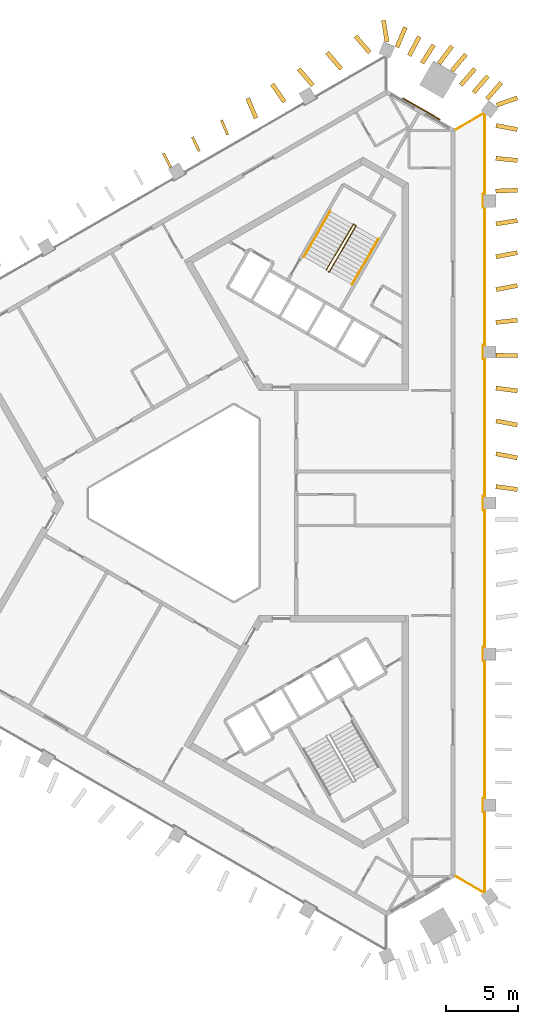
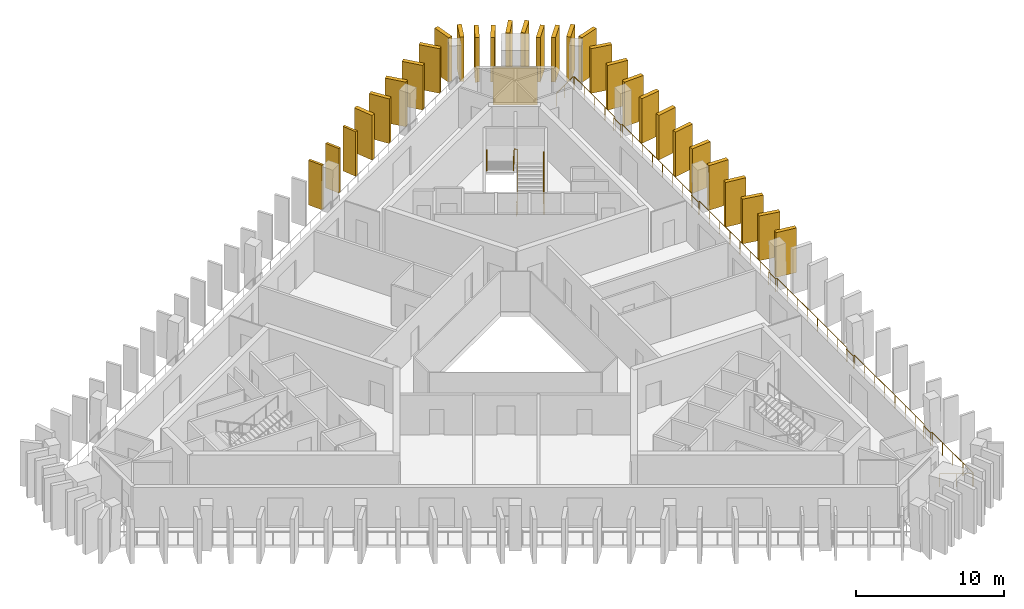
# One storey, part 9 of 9: 30 shading devices, 4 railings, 1 covering.
"""IFC4 building model written with IfcOpenShell, lengths in metres."""

from ifc_helpers import new_model, si_unit, direction, frame, frame_2d, origin, origin_2d, place, context, subcontext, project, spatial, rectangle, circle, extrude, material, layer, layer_set, type_object, element, save


model = new_model("IFC4")

# Units and contexts
model_context = context("Model", 3, precision=1e-05, world=origin(), true_north=direction((0.0, 1.0)))
body_context = subcontext(model_context, "Body", "Model", "MODEL_VIEW")
ifc_project = project(units=[si_unit("LENGTHUNIT", "METRE"), si_unit("AREAUNIT", "SQUARE_METRE"), si_unit("VOLUMEUNIT", "CUBIC_METRE"), si_unit("PLANEANGLEUNIT", "RADIAN"), si_unit("MASSUNIT", "GRAM", prefix="KILO")], contexts=[model_context])

# Site, building, storey
site_placement = place(None, origin())
site = spatial("IfcSite", under=ifc_project, at=site_placement, CompositionType="ELEMENT")
building_placement = place(site_placement, origin())
building = spatial("IfcBuilding", under=site, at=building_placement, Name="Jabali Bay Hotel Tower and Convention Centre", CompositionType="ELEMENT")
storey_placement = place(building_placement, frame((0.0, 0.0, 205.800048828125)))
storey = spatial("IfcBuildingStorey", under=building, at=storey_placement, Name="L50", CompositionType="ELEMENT", Elevation=205.800048828125)

# Railing
ifc_material_1 = material(Name="Glass", Category="glass")
railing_type_1 = type_object("IfcRailingType", Name="Loggia glass guard 1100", PredefinedType="BALUSTRADE", material=ifc_material_1)
railing_1_placement = place(storey_placement, frame((93.15087890625, 105.868408203125, 0.0)))
element("IfcRailing", 1, at=railing_1_placement, inside=storey, type_object=railing_type_1, Name="Loggia glass guard L50", PredefinedType="BALUSTRADE", context=body_context, shape_type="SweptSolid", body=[
    extrude(circle(Radius=0.02490234375, at=origin_2d()), frame((0.0, 0.0, 1.0751953125), z_axis=(0.866055336752, 0.499948150995, 0.0), x_axis=(-0.495671025257, 0.858646113288, 0.13052619222)), (0.0, 0.0, 1.0), 2.247314453125),
    extrude(circle(Radius=0.02490234375, at=origin_2d()), frame((1.9462890625, 1.12353515625, 1.0751953125), z_axis=(0.8, -0.6, 0.0), x_axis=(0.594866916824, 0.793155889099, 0.13052619222)), (0.0, 0.0, 1.0), 0.067138671875),
    extrude(circle(Radius=0.02490234375, at=origin_2d()), frame((2.0, 1.083251953125, 1.0751953125), z_axis=(0.0, -1.0, 0.0), x_axis=(0.991444861374, 0.0, 0.13052619222)), (0.0, 0.0, 1.0), 5.546142578125),
    extrude(circle(Radius=0.02490234375, at=origin_2d()), frame((2.0, -4.462890625, 1.0751953125), z_axis=(-1.0, 0.0, 0.0), x_axis=(0.0, -0.991444861374, 0.13052619222)), (0.0, 0.0, 1.0), 0.125),
    extrude(circle(Radius=0.02490234375, at=origin_2d()), frame((1.875, -4.462890625, 1.0751953125), z_axis=(0.0, -1.0, 0.0), x_axis=(0.991444861374, 0.0, 0.13052619222)), (0.0, 0.0, 1.0), 0.9501953125),
    extrude(circle(Radius=0.02490234375, at=origin_2d()), frame((1.875, -5.4130859375, 1.0751953125), z_axis=(1.0, 0.0, 0.0), x_axis=(0.0, 0.991444861374, 0.13052619222)), (0.0, 0.0, 1.0), 0.125),
    extrude(circle(Radius=0.02490234375, at=origin_2d()), frame((2.0, -5.4130859375, 1.0751953125), z_axis=(0.0, -1.0, 0.0), x_axis=(0.991444861374, 0.0, 0.13052619222)), (0.0, 0.0, 1.0), 9.51513671875),
    extrude(circle(Radius=0.02490234375, at=origin_2d()), frame((2.0, -14.92822265625, 1.0751953125), z_axis=(-1.0, 0.0, 0.0), x_axis=(0.0, -0.991444861374, 0.13052619222)), (0.0, 0.0, 1.0), 0.125),
    extrude(circle(Radius=0.02490234375, at=origin_2d()), frame((1.875, -14.92822265625, 1.0751953125), z_axis=(0.0, -1.0, 0.0), x_axis=(0.991444861374, 0.0, 0.13052619222)), (0.0, 0.0, 1.0), 0.949951171875),
    extrude(circle(Radius=0.02490234375, at=origin_2d()), frame((1.875, -15.878173828125, 1.0751953125), z_axis=(1.0, 0.0, 0.0), x_axis=(0.0, 0.991444861374, 0.13052619222)), (0.0, 0.0, 1.0), 0.125),
    extrude(circle(Radius=0.02490234375, at=origin_2d()), frame((2.0, -15.878173828125, 1.0751953125), z_axis=(0.0, -1.0, 0.0), x_axis=(0.991444861374, 0.0, 0.13052619222)), (0.0, 0.0, 1.0), 9.51513671875),
    extrude(circle(Radius=0.02490234375, at=origin_2d()), frame((2.0, -25.393310546875, 1.0751953125), z_axis=(-1.0, 0.0, 0.0), x_axis=(0.0, -0.991444861374, 0.13052619222)), (0.0, 0.0, 1.0), 0.125),
    extrude(circle(Radius=0.02490234375, at=origin_2d()), frame((1.875, -25.393310546875, 1.0751953125), z_axis=(0.0, -1.0, 0.0), x_axis=(0.991444861374, 0.0, 0.13052619222)), (0.0, 0.0, 1.0), 0.9501953125),
    extrude(circle(Radius=0.02490234375, at=origin_2d()), frame((1.875, -26.343505859375, 1.0751953125), z_axis=(1.0, 0.0, 0.0), x_axis=(0.0, 0.991444861374, 0.13052619222)), (0.0, 0.0, 1.0), 0.125),
    extrude(circle(Radius=0.02490234375, at=origin_2d()), frame((2.0, -26.343505859375, 1.0751953125), z_axis=(0.0, -1.0, 0.0), x_axis=(0.991444861374, 0.0, 0.13052619222)), (0.0, 0.0, 1.0), 9.51513671875),
    extrude(circle(Radius=0.02490234375, at=origin_2d()), frame((2.0, -35.858642578125, 1.0751953125), z_axis=(-1.0, 0.0, 0.0), x_axis=(0.0, -0.991444861374, 0.13052619222)), (0.0, 0.0, 1.0), 0.125),
    extrude(circle(Radius=0.02490234375, at=origin_2d()), frame((1.875, -35.858642578125, 1.0751953125), z_axis=(0.0, -1.0, 0.0), x_axis=(0.991444861374, 0.0, 0.13052619222)), (0.0, 0.0, 1.0), 0.949951171875),
    extrude(circle(Radius=0.02490234375, at=origin_2d()), frame((1.875, -36.80859375, 1.0751953125), z_axis=(1.0, 0.0, 0.0), x_axis=(0.0, 0.991444861374, 0.13052619222)), (0.0, 0.0, 1.0), 0.125),
    extrude(circle(Radius=0.02490234375, at=origin_2d()), frame((2.0, -36.80859375, 1.0751953125), z_axis=(0.0, -1.0, 0.0), x_axis=(0.991444861374, 0.0, 0.13052619222)), (0.0, 0.0, 1.0), 9.51513671875),
    extrude(circle(Radius=0.02490234375, at=origin_2d()), frame((2.0, -46.32373046875, 1.0751953125), z_axis=(-1.0, 0.0, 0.0), x_axis=(0.0, -0.991444861374, 0.13052619222)), (0.0, 0.0, 1.0), 0.125),
    extrude(circle(Radius=0.02490234375, at=origin_2d()), frame((1.875, -46.32373046875, 1.0751953125), z_axis=(0.0, -1.0, 0.0), x_axis=(0.991444861374, 0.0, 0.13052619222)), (0.0, 0.0, 1.0), 0.9501953125),
    extrude(circle(Radius=0.02490234375, at=origin_2d()), frame((1.875, -47.27392578125, 1.0751953125), z_axis=(1.0, 0.0, 0.0), x_axis=(0.0, 0.991444861374, 0.13052619222)), (0.0, 0.0, 1.0), 0.125),
    extrude(circle(Radius=0.02490234375, at=origin_2d()), frame((2.0, -47.27392578125, 1.0751953125), z_axis=(0.0, -1.0, 0.0), x_axis=(0.991444861374, 0.0, 0.13052619222)), (0.0, 0.0, 1.0), 5.546142578125),
    extrude(circle(Radius=0.02490234375, at=origin_2d()), frame((2.0, -52.820068359375, 1.0751953125), z_axis=(-0.8, -0.6, 0.0), x_axis=(0.594866916824, -0.793155889099, 0.13052619222)), (0.0, 0.0, 1.0), 0.067138671875),
    extrude(circle(Radius=0.02490234375, at=origin_2d()), frame((1.9462890625, -52.8603515625, 1.0751953125), z_axis=(-0.866055336752, 0.499948150995, 0.0), x_axis=(-0.495671025257, -0.858646113288, 0.13052619222)), (0.0, 0.0, 1.0), 2.247314453125),
    extrude(circle(Radius=0.02001953125, at=origin_2d()), origin(), (0.0, 0.0, 1.0), 1.050048828125),
    extrude(circle(Radius=0.02001953125, at=origin_2d()), frame((0.97314453125, 0.561767578125, 0.0)), (0.0, 0.0, 1.0), 1.050048828125),
    extrude(circle(Radius=0.02001953125, at=origin_2d()), frame((1.9462890625, 1.12353515625, 0.0)), (0.0, 0.0, 1.0), 1.050048828125),
    extrude(circle(Radius=0.02001953125, at=origin_2d()), frame((2.0, 1.083251953125, 0.0)), (0.0, 0.0, 1.0), 1.050048828125),
    extrude(circle(Radius=0.02001953125, at=origin_2d()), frame((2.0, -0.30322265625, 0.0)), (0.0, 0.0, 1.0), 1.050048828125),
    extrude(circle(Radius=0.02001953125, at=origin_2d()), frame((2.0, -1.68994140625, 0.0)), (0.0, 0.0, 1.0), 1.050048828125),
    extrude(circle(Radius=0.02001953125, at=origin_2d()), frame((2.0, -3.076416015625, 0.0)), (0.0, 0.0, 1.0), 1.050048828125),
    extrude(circle(Radius=0.02001953125, at=origin_2d()), frame((2.0, -4.462890625, 0.0)), (0.0, 0.0, 1.0), 1.050048828125),
    extrude(circle(Radius=0.02001953125, at=origin_2d()), frame((1.875, -4.462890625, 0.0)), (0.0, 0.0, 1.0), 1.050048828125),
    extrude(circle(Radius=0.02001953125, at=origin_2d()), frame((1.875, -5.4130859375, 0.0)), (0.0, 0.0, 1.0), 1.050048828125),
    extrude(circle(Radius=0.02001953125, at=origin_2d()), frame((2.0, -5.4130859375, 0.0)), (0.0, 0.0, 1.0), 1.050048828125),
    extrude(circle(Radius=0.02001953125, at=origin_2d()), frame((2.0, -6.7724609375, 0.0)), (0.0, 0.0, 1.0), 1.050048828125),
    extrude(circle(Radius=0.02001953125, at=origin_2d()), frame((2.0, -8.131591796875, 0.0)), (0.0, 0.0, 1.0), 1.050048828125),
    extrude(circle(Radius=0.02001953125, at=origin_2d()), frame((2.0, -9.490966796875, 0.0)), (0.0, 0.0, 1.0), 1.050048828125),
    extrude(circle(Radius=0.02001953125, at=origin_2d()), frame((2.0, -10.850341796875, 0.0)), (0.0, 0.0, 1.0), 1.050048828125),
    extrude(circle(Radius=0.02001953125, at=origin_2d()), frame((2.0, -12.209716796875, 0.0)), (0.0, 0.0, 1.0), 1.050048828125),
    extrude(circle(Radius=0.02001953125, at=origin_2d()), frame((2.0, -13.56884765625, 0.0)), (0.0, 0.0, 1.0), 1.050048828125),
    extrude(circle(Radius=0.02001953125, at=origin_2d()), frame((2.0, -14.92822265625, 0.0)), (0.0, 0.0, 1.0), 1.050048828125),
    extrude(circle(Radius=0.02001953125, at=origin_2d()), frame((1.875, -14.92822265625, 0.0)), (0.0, 0.0, 1.0), 1.050048828125),
    extrude(circle(Radius=0.02001953125, at=origin_2d()), frame((1.875, -15.878173828125, 0.0)), (0.0, 0.0, 1.0), 1.050048828125),
    extrude(circle(Radius=0.02001953125, at=origin_2d()), frame((2.0, -15.878173828125, 0.0)), (0.0, 0.0, 1.0), 1.050048828125),
    extrude(circle(Radius=0.02001953125, at=origin_2d()), frame((2.0, -17.237548828125, 0.0)), (0.0, 0.0, 1.0), 1.050048828125),
    extrude(circle(Radius=0.02001953125, at=origin_2d()), frame((2.0, -18.5966796875, 0.0)), (0.0, 0.0, 1.0), 1.050048828125),
    extrude(circle(Radius=0.02001953125, at=origin_2d()), frame((2.0, -19.9560546875, 0.0)), (0.0, 0.0, 1.0), 1.050048828125),
    extrude(circle(Radius=0.02001953125, at=origin_2d()), frame((2.0, -21.3154296875, 0.0)), (0.0, 0.0, 1.0), 1.050048828125),
    extrude(circle(Radius=0.02001953125, at=origin_2d()), frame((2.0, -22.6748046875, 0.0)), (0.0, 0.0, 1.0), 1.050048828125),
    extrude(circle(Radius=0.02001953125, at=origin_2d()), frame((2.0, -24.033935546875, 0.0)), (0.0, 0.0, 1.0), 1.050048828125),
    extrude(circle(Radius=0.02001953125, at=origin_2d()), frame((2.0, -25.393310546875, 0.0)), (0.0, 0.0, 1.0), 1.050048828125),
    extrude(circle(Radius=0.02001953125, at=origin_2d()), frame((1.875, -25.393310546875, 0.0)), (0.0, 0.0, 1.0), 1.050048828125),
    extrude(circle(Radius=0.02001953125, at=origin_2d()), frame((1.875, -26.343505859375, 0.0)), (0.0, 0.0, 1.0), 1.050048828125),
    extrude(circle(Radius=0.02001953125, at=origin_2d()), frame((2.0, -26.343505859375, 0.0)), (0.0, 0.0, 1.0), 1.050048828125),
    extrude(circle(Radius=0.02001953125, at=origin_2d()), frame((2.0, -27.702880859375, 0.0)), (0.0, 0.0, 1.0), 1.050048828125),
    extrude(circle(Radius=0.02001953125, at=origin_2d()), frame((2.0, -29.06201171875, 0.0)), (0.0, 0.0, 1.0), 1.050048828125),
    extrude(circle(Radius=0.02001953125, at=origin_2d()), frame((2.0, -30.42138671875, 0.0)), (0.0, 0.0, 1.0), 1.050048828125),
    extrude(circle(Radius=0.02001953125, at=origin_2d()), frame((2.0, -31.78076171875, 0.0)), (0.0, 0.0, 1.0), 1.050048828125),
    extrude(circle(Radius=0.02001953125, at=origin_2d()), frame((2.0, -33.14013671875, 0.0)), (0.0, 0.0, 1.0), 1.050048828125),
    extrude(circle(Radius=0.02001953125, at=origin_2d()), frame((2.0, -34.499267578125, 0.0)), (0.0, 0.0, 1.0), 1.050048828125),
    extrude(circle(Radius=0.02001953125, at=origin_2d()), frame((2.0, -35.858642578125, 0.0)), (0.0, 0.0, 1.0), 1.050048828125),
    extrude(circle(Radius=0.02001953125, at=origin_2d()), frame((1.875, -35.858642578125, 0.0)), (0.0, 0.0, 1.0), 1.050048828125),
    extrude(circle(Radius=0.02001953125, at=origin_2d()), frame((1.875, -36.80859375, 0.0)), (0.0, 0.0, 1.0), 1.050048828125),
    extrude(circle(Radius=0.02001953125, at=origin_2d()), frame((2.0, -36.80859375, 0.0)), (0.0, 0.0, 1.0), 1.050048828125),
    extrude(circle(Radius=0.02001953125, at=origin_2d()), frame((2.0, -38.16796875, 0.0)), (0.0, 0.0, 1.0), 1.050048828125),
    extrude(circle(Radius=0.02001953125, at=origin_2d()), frame((2.0, -39.527099609375, 0.0)), (0.0, 0.0, 1.0), 1.050048828125),
    extrude(circle(Radius=0.02001953125, at=origin_2d()), frame((2.0, -40.886474609375, 0.0)), (0.0, 0.0, 1.0), 1.050048828125),
    extrude(circle(Radius=0.02001953125, at=origin_2d()), frame((2.0, -42.245849609375, 0.0)), (0.0, 0.0, 1.0), 1.050048828125),
    extrude(circle(Radius=0.02001953125, at=origin_2d()), frame((2.0, -43.605224609375, 0.0)), (0.0, 0.0, 1.0), 1.050048828125),
    extrude(circle(Radius=0.02001953125, at=origin_2d()), frame((2.0, -44.96435546875, 0.0)), (0.0, 0.0, 1.0), 1.050048828125),
    extrude(circle(Radius=0.02001953125, at=origin_2d()), frame((2.0, -46.32373046875, 0.0)), (0.0, 0.0, 1.0), 1.050048828125),
    extrude(circle(Radius=0.02001953125, at=origin_2d()), frame((1.875, -46.32373046875, 0.0)), (0.0, 0.0, 1.0), 1.050048828125),
    extrude(circle(Radius=0.02001953125, at=origin_2d()), frame((1.875, -47.27392578125, 0.0)), (0.0, 0.0, 1.0), 1.050048828125),
    extrude(circle(Radius=0.02001953125, at=origin_2d()), frame((2.0, -47.27392578125, 0.0)), (0.0, 0.0, 1.0), 1.050048828125),
    extrude(circle(Radius=0.02001953125, at=origin_2d()), frame((2.0, -48.660400390625, 0.0)), (0.0, 0.0, 1.0), 1.050048828125),
    extrude(circle(Radius=0.02001953125, at=origin_2d()), frame((2.0, -50.046875, 0.0)), (0.0, 0.0, 1.0), 1.050048828125),
    extrude(circle(Radius=0.02001953125, at=origin_2d()), frame((2.0, -51.43359375, 0.0)), (0.0, 0.0, 1.0), 1.050048828125),
    extrude(circle(Radius=0.02001953125, at=origin_2d()), frame((2.0, -52.820068359375, 0.0)), (0.0, 0.0, 1.0), 1.050048828125),
    extrude(circle(Radius=0.02001953125, at=origin_2d()), frame((1.9462890625, -52.8603515625, 0.0)), (0.0, 0.0, 1.0), 1.050048828125),
    extrude(circle(Radius=0.02001953125, at=origin_2d()), frame((0.97314453125, -52.298583984375, 0.0)), (0.0, 0.0, 1.0), 1.050048828125),
    extrude(circle(Radius=0.02001953125, at=origin_2d()), frame((0.0, -51.73681640625, 0.0)), (0.0, 0.0, 1.0), 1.050048828125),
])

# Shading devices
ifc_material_2 = material(Name="Precast concrete C60", Category="concrete")
ifc_layer_1 = layer(ifc_material_2, 0.179931640625)
ifc_layer_set_1 = layer_set([ifc_layer_1], Name="Precast concrete C60")
shading_device_type_1 = type_object("IfcShadingDeviceType", Name="Precast fin 3680 x 1100", PredefinedType="USERDEFINED", material=ifc_layer_set_1)
shading_device_1_placement = place(storey_placement, frame((77.342041015625, 105.499755859375, 0.010009765625), z_axis=(0.0, 0.0, 1.0), x_axis=(-0.383527699456, 0.923529373518, 0.0)))
element("IfcShadingDevice", 2, at=shading_device_1_placement, inside=storey, type_object=shading_device_type_1, Name="Fin L50 037", ObjectType="FIN", PredefinedType="USERDEFINED", context=body_context, shape_type="SweptSolid", body=[
    extrude(rectangle(XDim=1.10009765625, YDim=0.179931640625, at=frame_2d((0.550048828125, 0.0))), origin(), (0.0, 0.0, 1.0), 3.679931640625),
])
shading_device_2_placement = place(storey_placement, frame((75.375244140625, 104.359130859375, 0.010009765625), z_axis=(0.0, 0.0, 1.0), x_axis=(-0.429278652581, 0.903172097907, 0.0)))
element("IfcShadingDevice", 3, at=shading_device_2_placement, inside=storey, type_object=shading_device_type_1, Name="Fin L50 038", ObjectType="FIN", PredefinedType="USERDEFINED", context=body_context, shape_type="SweptSolid", body=[
    extrude(rectangle(XDim=1.099853515625, YDim=0.179931640625, at=frame_2d((0.5498046875, 0.0))), origin(), (0.0, 0.0, 1.0), 3.679931640625),
])
shading_device_3_placement = place(storey_placement, frame((73.395263671875, 103.24169921875, 0.010009765625), z_axis=(0.0, 0.0, 1.0), x_axis=(-0.454301425108, 0.890848031453, 0.0)))
element("IfcShadingDevice", 4, at=shading_device_3_placement, inside=storey, type_object=shading_device_type_1, Name="Fin L50 039", ObjectType="FIN", PredefinedType="USERDEFINED", context=body_context, shape_type="SweptSolid", body=[
    extrude(rectangle(XDim=1.10009765625, YDim=0.179931640625, at=frame_2d((0.550048828125, 0.0))), origin(), (0.0, 0.0, 1.0), 3.679931640625),
])
ifc_layer_2 = layer(ifc_material_2, 0.300048828125)
ifc_layer_set_2 = layer_set([ifc_layer_2], Name="Precast concrete C60")
shading_device_type_2 = type_object("IfcShadingDeviceType", Name="Precast fin 3680 x 1500", PredefinedType="USERDEFINED", material=ifc_layer_set_2)
shading_device_4_placement = place(storey_placement, frame((95.920654296875, 81.13671875, 0.010009765625), z_axis=(0.0, 0.0, 1.0), x_axis=(0.991120976292, -0.132963191729, 0.0)))
element("IfcShadingDevice", 5, at=shading_device_4_placement, inside=storey, type_object=shading_device_type_2, Name="Fin L50 012", ObjectType="FIN", PredefinedType="USERDEFINED", context=body_context, shape_type="SweptSolid", body=[
    extrude(rectangle(XDim=1.500244140625, YDim=0.300048828125, at=frame_2d((0.75, 0.0))), origin(), (0.0, 0.0, 1.0), 3.679931640625),
])
for number, where, z_axis, x_axis, name in (
    (6, (95.928955078125, 83.410400390625, 0.010009765625), (0.0, 0.0, 1.0), (0.98216862344, -0.188002114696, 0.0), "Fin L50 013"),
    (7, (95.928955078125, 85.683837890625, 0.010009765625), (0.0, 0.0, 1.0), (0.98216862344, -0.188002114696, 0.0), "Fin L50 014"),
    (8, (95.919921875, 87.95751953125, 0.010009765625), (0.0, 0.0, 1.0), (0.991784528451, -0.127919697959, 0.0), "Fin L50 015"),
):
    element("IfcShadingDevice", number, at=place(storey_placement, frame(where, z_axis=z_axis, x_axis=x_axis)), inside=storey, type_object=shading_device_type_2, Name=name, ObjectType="FIN", PredefinedType="USERDEFINED", context=body_context, shape_type="SweptSolid", body=[
        extrude(rectangle(XDim=1.5, YDim=0.300048828125, at=frame_2d((0.75, 0.0))), origin(), (0.0, 0.0, 1.0), 3.679931640625),
    ])
shading_device_5_placement = place(storey_placement, frame((95.927978515625, 90.23095703125, 0.010009765625), z_axis=(0.0, 0.0, 1.0), x_axis=(0.999882983511, -0.015297688875, 0.0)))
element("IfcShadingDevice", 9, at=shading_device_5_placement, inside=storey, type_object=shading_device_type_2, Name="Fin L50 016", ObjectType="FIN", PredefinedType="USERDEFINED", context=body_context, shape_type="SweptSolid", body=[
    extrude(rectangle(XDim=1.500244140625, YDim=0.300048828125, at=frame_2d((0.75, 0.0))), origin(), (0.0, 0.0, 1.0), 3.679931640625),
])
for number, where, z_axis, x_axis, name in (
    (10, (95.916015625, 92.504638671875, 0.010009765625), (0.0, 0.0, 1.0), (0.994762785059, 0.102210574119, 0.0), "Fin L50 017"),
    (11, (95.9287109375, 94.778076171875, 0.010009765625), (0.0, 0.0, 1.0), (0.982479330872, 0.186371576184, 0.0), "Fin L50 018"),
    (12, (95.928955078125, 97.0517578125, 0.010009765625), (0.0, 0.0, 1.0), (0.98216862344, 0.188002114696, 0.0), "Fin L50 019"),
    (13, (95.92431640625, 99.325439453125, 0.010009765625), (0.0, 0.0, 1.0), (0.987614720044, 0.156898581101, 0.0), "Fin L50 020"),
    (14, (95.9072265625, 101.598876953125, 0.010009765625), (0.0, 0.0, 1.0), (0.99909716415, 0.042483603754, 0.0), "Fin L50 021"),
    (15, (95.91552734375, 103.87255859375, 0.010009765625), (0.0, 0.0, 1.0), (0.995075789186, -0.099116970169, 0.0), "Fin L50 022"),
    (16, (95.928955078125, 106.14599609375, 0.010009765625), (0.0, 0.0, 1.0), (0.98216862344, -0.188002114696, 0.0), "Fin L50 023"),
):
    element("IfcShadingDevice", number, at=place(storey_placement, frame(where, z_axis=z_axis, x_axis=x_axis)), inside=storey, type_object=shading_device_type_2, Name=name, ObjectType="FIN", PredefinedType="USERDEFINED", context=body_context, shape_type="SweptSolid", body=[
        extrude(rectangle(XDim=1.5, YDim=0.300048828125, at=frame_2d((0.75, 0.0))), origin(), (0.0, 0.0, 1.0), 3.679931640625),
    ])
shading_device_6_placement = place(storey_placement, frame((95.305908203125, 107.973388671875, 0.010009765625), z_axis=(0.0, 0.0, 1.0), x_axis=(0.653882588745, 0.756596034973, 0.0)))
element("IfcShadingDevice", 17, at=shading_device_6_placement, inside=storey, type_object=shading_device_type_2, Name="Fin L50 024", ObjectType="FIN", PredefinedType="USERDEFINED", context=body_context, shape_type="SweptSolid", body=[
    extrude(rectangle(XDim=1.499755859375, YDim=0.300048828125, at=frame_2d((0.75, 0.0))), origin(), (0.0, 0.0, 1.0), 3.679931640625),
])
for number, where, z_axis, x_axis, name in (
    (18, (94.379150390625, 108.4248046875, 0.010009765625), (0.0, 0.0, 1.0), (0.65397575459, 0.756515507051, 0.0), "Fin L50 025"),
    (19, (93.48876953125, 108.93896484375, 0.010009765625), (0.0, 0.0, 1.0), (0.65397575459, 0.756515507051, 0.0), "Fin L50 026"),
    (20, (92.87255859375, 109.927978515625, 0.010009765625), (0.0, 0.0, 1.0), (0.649597593859, 0.760278216216, 0.0), "Fin L50 027"),
    (21, (91.9775390625, 110.43408203125, 0.010009765625), (0.0, 0.0, 1.0), (0.600728893418, 0.799452810748, 0.0), "Fin L50 028"),
    (22, (90.806640625, 110.462646484375, 0.010009765625), (0.0, 0.0, 1.0), (0.538443859737, 0.842661385084, 0.0), "Fin L50 029"),
    (23, (89.915771484375, 110.975830078125, 0.010009765625), (0.0, 0.0, 1.0), (0.466316536906, 0.884617933013, 0.0), "Fin L50 030"),
):
    element("IfcShadingDevice", number, at=place(storey_placement, frame(where, z_axis=z_axis, x_axis=x_axis)), inside=storey, type_object=shading_device_type_2, Name=name, ObjectType="FIN", PredefinedType="USERDEFINED", context=body_context, shape_type="SweptSolid", body=[
        extrude(rectangle(XDim=1.5, YDim=0.300048828125, at=frame_2d((0.75, 0.0))), origin(), (0.0, 0.0, 1.0), 3.679931640625),
    ])
for number, where, z_axis, x_axis, name in (
    (24, (89.067626953125, 111.563232421875, 0.010009765625), (0.0, 0.0, 1.0), (0.390754631965, 0.920494876465, 0.0), "Fin L50 031"),
    (25, (87.1787109375, 111.197998046875, 0.010009765625), (0.0, 0.0, 1.0), (-0.653895235714, 0.756585104737, 0.0), "Fin L50 032"),
):
    element("IfcShadingDevice", number, at=place(storey_placement, frame(where, z_axis=z_axis, x_axis=x_axis)), inside=storey, type_object=shading_device_type_2, Name=name, ObjectType="FIN", PredefinedType="USERDEFINED", context=body_context, shape_type="SweptSolid", body=[
        extrude(rectangle(XDim=1.500244140625, YDim=0.300048828125, at=frame_2d((0.75, 0.0))), origin(), (0.0, 0.0, 1.0), 3.679931640625),
    ])
for number, where, z_axis, x_axis, name in (
    (26, (85.209716796875, 110.061279296875, 0.010009765625), (0.0, 0.0, 1.0), (-0.653802064203, 0.756665620234, 0.0), "Fin L50 033"),
    (27, (83.24072265625, 108.92431640625, 0.010009765625), (0.0, 0.0, 1.0), (-0.653013673749, 0.757346117635, 0.0), "Fin L50 034"),
):
    element("IfcShadingDevice", number, at=place(storey_placement, frame(where, z_axis=z_axis, x_axis=x_axis)), inside=storey, type_object=shading_device_type_2, Name=name, ObjectType="FIN", PredefinedType="USERDEFINED", context=body_context, shape_type="SweptSolid", body=[
        extrude(rectangle(XDim=1.5, YDim=0.300048828125, at=frame_2d((0.75, 0.0))), origin(), (0.0, 0.0, 1.0), 3.679931640625),
    ])
shading_device_7_placement = place(storey_placement, frame((81.27978515625, 107.773681640625, 0.010009765625), z_axis=(0.0, 0.0, 1.0), x_axis=(-0.567592209169, 0.823309834808, 0.0)))
element("IfcShadingDevice", 28, at=shading_device_7_placement, inside=storey, type_object=shading_device_type_2, Name="Fin L50 035", ObjectType="FIN", PredefinedType="USERDEFINED", context=body_context, shape_type="SweptSolid", body=[
    extrude(rectangle(XDim=1.499755859375, YDim=0.300048828125, at=frame_2d((0.75, 0.0))), origin(), (0.0, 0.0, 1.0), 3.679931640625),
])
for number, where, z_axis, x_axis, name in (
    (29, (79.30712890625, 106.6435546875, 0.010009765625), (0.0, 0.0, 1.0), (-0.382476376004, 0.923965270883, 0.0), "Fin L50 036"),
    (30, (95.9794921875, 107.55908203125, 0.010009765625), (0.0, 0.0, 1.0), (0.94456923909, 0.328312279036, 0.0), "Fin L50 097"),
    (31, (88.377197265625, 111.944580078125, 0.010009765625), (0.0, 0.0, 1.0), (-0.160808348142, 0.986985650943, 0.0), "Fin L50 098"),
):
    element("IfcShadingDevice", number, at=place(storey_placement, frame(where, z_axis=z_axis, x_axis=x_axis)), inside=storey, type_object=shading_device_type_2, Name=name, ObjectType="FIN", PredefinedType="USERDEFINED", context=body_context, shape_type="SweptSolid", body=[
        extrude(rectangle(XDim=1.5, YDim=0.300048828125, at=frame_2d((0.75, 0.0))), origin(), (0.0, 0.0, 1.0), 3.679931640625),
    ])

# Covering
ifc_material_3 = material(Name="Precast concrete C40/50", Category="concrete")
ifc_layer_3 = layer(ifc_material_3, 0.080078125)
ifc_layer_set_3 = layer_set([ifc_layer_3], Name="Precast concrete C40/50")
covering_type = type_object("IfcCoveringType", Name="Relief panel 3000 x 3100", PredefinedType="CLADDING", material=ifc_layer_set_3)
covering_placement = place(storey_placement, frame((90.759033203125, 107.29541015625, 0.099853515625), z_axis=(0.0, 0.0, 1.0), x_axis=(0.866025411857, -0.499999986019, 0.0)))
element("IfcCovering", 32, at=covering_placement, inside=storey, type_object=covering_type, Name="Relief panel L50", PredefinedType="CLADDING", context=body_context, shape_type="SweptSolid", body=[
    extrude(rectangle(XDim=3.0, YDim=0.080078125, at=origin_2d()), origin(), (0.0, 0.0, 1.0), 3.10009765625),
])

# Railings
ifc_material_4 = material(Name="Steel Q355B", Category="steel")
railing_type_2 = type_object("IfcRailingType", Name="Stair guard 1100", PredefinedType="GUARDRAIL", material=ifc_material_4)
railing_2_placement = place(storey_placement, frame((84.329833984375, 96.010009765625, 0.0)))
element("IfcRailing", 33, at=railing_2_placement, inside=storey, type_object=railing_type_2, Name="L50 ST2 stair guard 1", PredefinedType="GUARDRAIL", context=body_context, shape_type="SweptSolid", body=[
    extrude(circle(Radius=0.02392578125, at=origin_2d()), frame((0.0, 0.0, 1.076171875), z_axis=(0.456201556387, 0.122196845461, 0.881446578591), x_axis=(-0.258736085224, 0.965948051503, 0.0)), (0.0, 0.0, 1.0), 0.14990234375),
    extrude(circle(Radius=0.02392578125, at=origin_2d()), frame((0.068359375, 0.018310546875, 1.2080078125), z_axis=(0.452190331055, 0.783190014029, 0.426775475427), x_axis=(-0.866018046521, 0.500012742938, 0.0)), (0.0, 0.0, 1.0), 4.02490234375),
    extrude(circle(Radius=0.02392578125, at=origin_2d()), frame((1.888427734375, 3.170654296875, 2.92578125), z_axis=(-0.718850276695, 0.695164929852, 0.0), x_axis=(-0.695164929852, -0.718850276695, 0.0)), (0.0, 0.0, 1.0), 0.2060546875),
    extrude(circle(Radius=0.02392578125, at=origin_2d()), frame((1.740234375, 3.31396484375, 2.92578125), z_axis=(-0.457445338502, -0.768046879266, 0.448160410493), x_axis=(0.859157857954, -0.511710636118, 0.0)), (0.0, 0.0, 1.0), 4.128173828125),
    extrude(circle(Radius=0.02099609375, at=origin_2d()), origin(), (0.0, 0.0, 1.0), 1.052001953125),
    extrude(circle(Radius=0.02099609375, at=origin_2d()), frame((0.068359375, 0.018310546875, 0.132080078125)), (0.0, 0.0, 1.0), 1.052001953125),
    extrude(circle(Radius=0.02099609375, at=origin_2d()), frame((0.5234375, 0.806396484375, 0.5615234375)), (0.0, 0.0, 1.0), 1.052001953125),
    extrude(circle(Radius=0.02099609375, at=origin_2d()), frame((0.978515625, 1.594482421875, 0.990966796875)), (0.0, 0.0, 1.0), 1.052001953125),
    extrude(circle(Radius=0.02099609375, at=origin_2d()), frame((1.433349609375, 2.382568359375, 1.42041015625)), (0.0, 0.0, 1.0), 1.052001953125),
    extrude(circle(Radius=0.02099609375, at=origin_2d()), frame((1.888427734375, 3.170654296875, 1.849853515625)), (0.0, 0.0, 1.0), 1.052001953125),
    extrude(circle(Radius=0.02099609375, at=origin_2d()), frame((1.740234375, 3.31396484375, 1.849853515625)), (0.0, 0.0, 1.0), 1.052001953125),
    extrude(circle(Radius=0.02099609375, at=origin_2d()), frame((1.26806640625, 2.521240234375, 2.3125)), (0.0, 0.0, 1.0), 1.052001953125),
    extrude(circle(Radius=0.02099609375, at=origin_2d()), frame((0.7958984375, 1.728515625, 2.77490234375)), (0.0, 0.0, 1.0), 1.052001953125),
    extrude(circle(Radius=0.02099609375, at=origin_2d()), frame((0.323974609375, 0.93603515625, 3.2373046875)), (0.0, 0.0, 1.0), 1.052001953125),
    extrude(circle(Radius=0.02099609375, at=origin_2d()), frame((-0.148193359375, 0.143310546875, 3.699951171875)), (0.0, 0.0, 1.0), 1.052001953125),
])
railing_type_3 = type_object("IfcRailingType", Name="Stair handrail 900", PredefinedType="HANDRAIL", material=ifc_material_4)
railing_3_placement = place(storey_placement, frame((85.95703125, 95.128173828125, 0.132080078125)))
element("IfcRailing", 34, at=railing_3_placement, inside=storey, type_object=railing_type_3, Name="L50 ST2 stair handrail 1", PredefinedType="HANDRAIL", context=body_context, shape_type="SweptSolid", body=[
    extrude(circle(Radius=0.02392578125, at=origin_2d()), frame((0.0, 0.0, 0.8759765625), z_axis=(0.452190331055, 0.783190014029, 0.426775475427), x_axis=(-0.866018046521, 0.500012742938, 0.0)), (0.0, 0.0, 1.0), 4.02490234375),
    extrude(circle(Radius=0.02099609375, at=origin_2d()), origin(), (0.0, 0.0, 1.0), 0.851806640625),
    extrude(circle(Radius=0.02099609375, at=origin_2d()), frame((0.455078125, 0.7880859375, 0.429443359375)), (0.0, 0.0, 1.0), 0.851806640625),
    extrude(circle(Radius=0.02099609375, at=origin_2d()), frame((0.91015625, 1.576171875, 0.85888671875)), (0.0, 0.0, 1.0), 0.851806640625),
    extrude(circle(Radius=0.02099609375, at=origin_2d()), frame((1.364990234375, 2.3642578125, 1.288330078125)), (0.0, 0.0, 1.0), 0.851806640625),
    extrude(circle(Radius=0.02099609375, at=origin_2d()), frame((1.820068359375, 3.15234375, 1.7177734375)), (0.0, 0.0, 1.0), 0.851806640625),
])
railing_4_placement = place(storey_placement, frame((84.44287109375, 100.20556640625, 1.982177734375)))
element("IfcRailing", 35, at=railing_4_placement, inside=storey, type_object=railing_type_3, Name="L50 ST2 stair handrail 2", PredefinedType="HANDRAIL", context=body_context, shape_type="SweptSolid", body=[
    extrude(circle(Radius=0.02392578125, at=origin_2d()), frame((0.0, 0.0, 0.8759765625), z_axis=(-0.452190331055, -0.783190014029, 0.426775475427), x_axis=(0.866018046521, -0.500012742938, 0.0)), (0.0, 0.0, 1.0), 4.02490234375),
    extrude(circle(Radius=0.02099609375, at=origin_2d()), origin(), (0.0, 0.0, 1.0), 0.851806640625),
    extrude(circle(Radius=0.02099609375, at=origin_2d()), frame((-0.455078125, -0.7880859375, 0.429443359375)), (0.0, 0.0, 1.0), 0.851806640625),
    extrude(circle(Radius=0.02099609375, at=origin_2d()), frame((-0.91015625, -1.576171875, 0.85888671875)), (0.0, 0.0, 1.0), 0.851806640625),
    extrude(circle(Radius=0.02099609375, at=origin_2d()), frame((-1.364990234375, -2.3642578125, 1.288330078125)), (0.0, 0.0, 1.0), 0.851806640625),
    extrude(circle(Radius=0.02099609375, at=origin_2d()), frame((-1.820068359375, -3.15234375, 1.7177734375)), (0.0, 0.0, 1.0), 0.851806640625),
])

save(model, "model.ifc")
